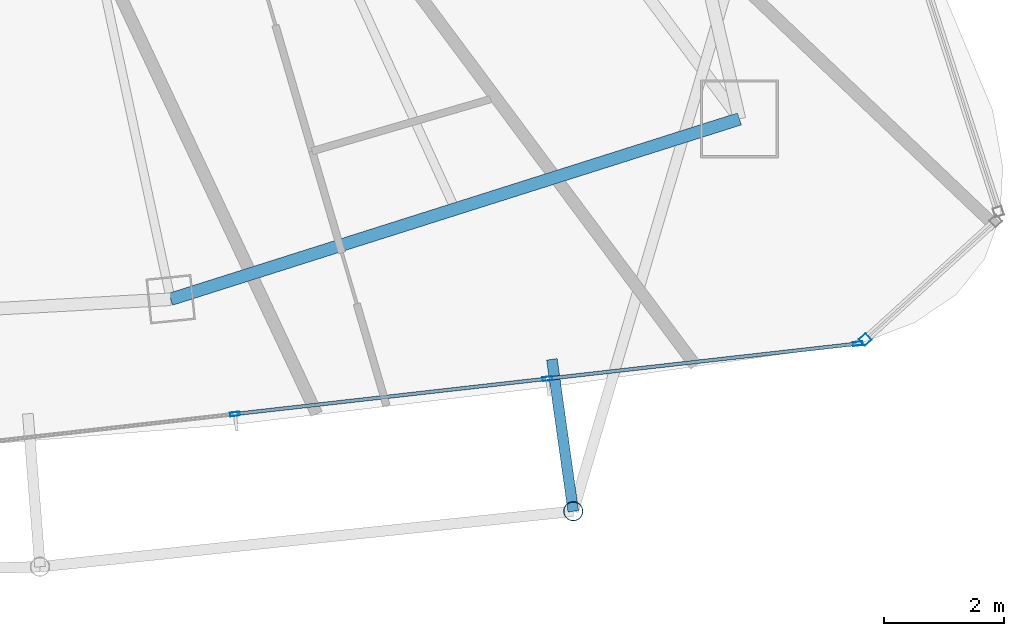
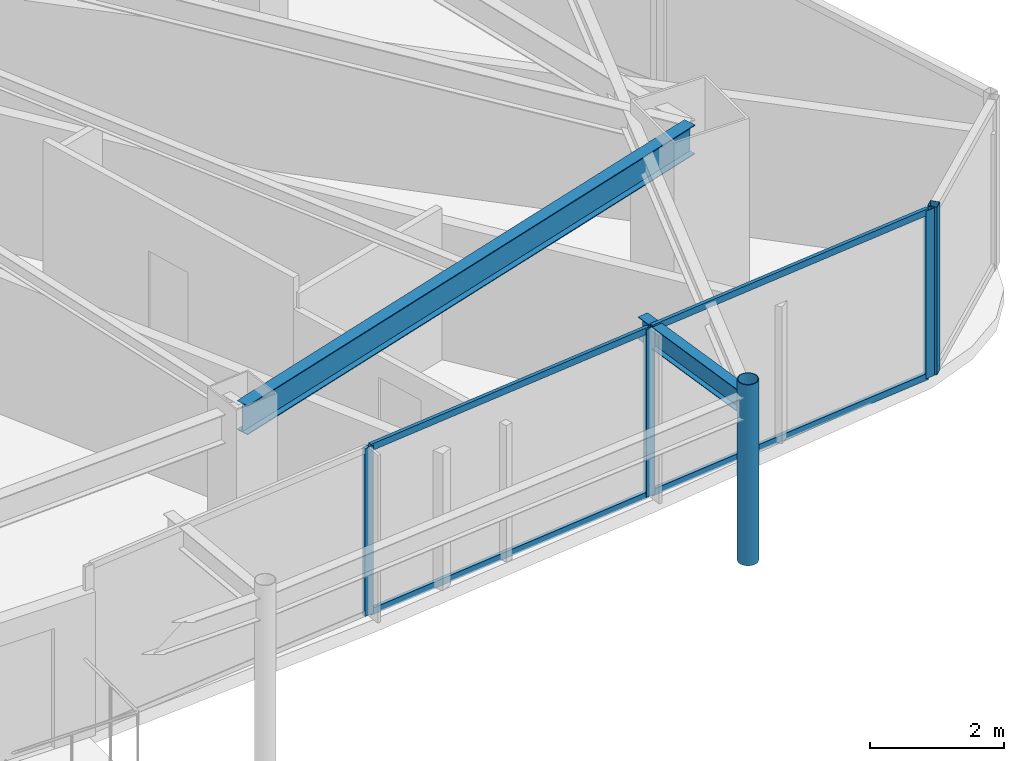
# One storey, part 14 of 32: 9 members, 2 beams, 2 elements without a shape of their own.
"""IFC4 building model written with IfcOpenShell, lengths in metres."""

from ifc_helpers import new_model, si_unit, direction, frame, origin, origin_2d, place, context, subcontext, project, spatial, hollow_rectangle, hollow_circle, i_section, extrude, material, layer, layer_set, material_profile, profile_set, type_object, element, aggregate, save


model = new_model("IFC4")

# Units and contexts
model_context = context("Model", 3, precision=1e-05, world=origin(), true_north=direction((0.0, 1.0)))
body_context = subcontext(model_context, "Body", "Model", "MODEL_VIEW")
ifc_project = project(units=[si_unit("LENGTHUNIT", "METRE"), si_unit("AREAUNIT", "SQUARE_METRE"), si_unit("VOLUMEUNIT", "CUBIC_METRE"), si_unit("PLANEANGLEUNIT", "RADIAN"), si_unit("MASSUNIT", "GRAM", prefix="KILO")], contexts=[model_context])

# Site, building, storey
site_placement = place(None, origin())
site = spatial("IfcSite", under=ifc_project, at=site_placement, CompositionType="ELEMENT")
building_placement = place(site_placement, origin())
building = spatial("IfcBuilding", under=site, at=building_placement, Name="Orvanel Arch Residences", CompositionType="ELEMENT")
storey_placement = place(building_placement, frame((0.0, 0.0, 219.5)))
storey = spatial("IfcBuildingStorey", under=building, at=storey_placement, Name="L62", CompositionType="ELEMENT", Elevation=219.5)

# Curtain wall, member
ifc_material_1 = material(Name="Bronze-anodised aluminium AA6063-T6", Category="aluminium")
ifc_layer_1 = layer(ifc_material_1, 0.18994140625)
ifc_layer_set_1 = layer_set([ifc_layer_1], Name="Bronze-anodised aluminium AA6063-T6")
curtain_wall_type_1 = type_object("IfcCurtainWallType", Name="CW5-CRN-SYS", PredefinedType="NOTDEFINED", material=ifc_layer_set_1)
curtain_wall_1_placement = place(storey_placement, origin())
curtain_wall_1 = element("IfcCurtainWall", 1, at=curtain_wall_1_placement, inside=storey, type_object=curtain_wall_type_1, Name="L62 CW5-CRN-SYS Unitised Curtain Wall", PredefinedType="NOTDEFINED")
ifc_material_profile_1 = material_profile(ifc_material_1, hollow_rectangle(XDim=0.14990234375, YDim=0.14990234375, WallThickness=0.0048828125, at=origin_2d()), Name="ALU150x150x5")
ifc_profile_set_1 = profile_set([ifc_material_profile_1], Name="Bronze-anodised aluminium AA6063-T6")
member_type_1 = type_object("IfcMemberType", Name="MUL-150x150", PredefinedType="MULLION", material=ifc_profile_set_1)
member_1_placement = place(storey_placement, frame((53.892578125, 6.6865234375, 0.0), z_axis=(0.0, 0.0, 1.0), x_axis=(-0.672365707037, 0.740219127016, 0.0)))
member_1 = element("IfcMember", 2, at=member_1_placement, type_object=member_type_1, Name="CW-S5 mullion 1", PredefinedType="MULLION", context=body_context, shape_type="SweptSolid", body=[
    extrude(hollow_rectangle(XDim=0.14990234375, YDim=0.14990234375, WallThickness=0.0048828125, at=origin_2d()), origin(), (0.0, 0.0, 1.0), 3.06005859375),
])
aggregate(curtain_wall_1, [member_1])

# Curtain wall, members
ifc_layer_2 = layer(ifc_material_1, 0.175048828125)
ifc_layer_set_2 = layer_set([ifc_layer_2], Name="Bronze-anodised aluminium AA6063-T6")
curtain_wall_type_2 = type_object("IfcCurtainWallType", Name="CW4-HI-SYS", PredefinedType="NOTDEFINED", material=ifc_layer_set_2)
curtain_wall_2_placement = place(storey_placement, origin())
curtain_wall_2 = element("IfcCurtainWall", 3, at=curtain_wall_2_placement, inside=storey, type_object=curtain_wall_type_2, Name="L62 CW4-HI-SYS Unitised Curtain Wall", PredefinedType="NOTDEFINED")
ifc_material_profile_2 = material_profile(ifc_material_1, hollow_rectangle(XDim=0.06494140625, YDim=0.159912109375, WallThickness=0.00390625, at=origin_2d()), Name="ALU160x65x4")
ifc_profile_set_2 = profile_set([ifc_material_profile_2], Name="Bronze-anodised aluminium AA6063-T6")
member_type_2 = type_object("IfcMemberType", Name="MUL-160x65", PredefinedType="MULLION", material=ifc_profile_set_2)
member_2_placement = place(storey_placement, frame((43.41796875, 5.44775390625, 0.0), z_axis=(0.0, 0.0, 1.0), x_axis=(-0.112279844711, 0.993676625705, 0.0)))
member_2 = element("IfcMember", 4, at=member_2_placement, type_object=member_type_2, Name="CW-S4 mullion 2", PredefinedType="MULLION", context=body_context, shape_type="SweptSolid", body=[
    extrude(hollow_rectangle(XDim=0.06494140625, YDim=0.159912109375, WallThickness=0.00390625, at=origin_2d()), origin(), (0.0, 0.0, 1.0), 3.06005859375),
])
member_3_placement = place(storey_placement, frame((48.610107421875, 6.034423828125, 0.0), z_axis=(0.0, 0.0, 1.0), x_axis=(-0.112279844711, 0.993676625705, 0.0)))
member_3 = element("IfcMember", 5, at=member_3_placement, type_object=member_type_2, Name="CW-S4 mullion 3", PredefinedType="MULLION", context=body_context, shape_type="SweptSolid", body=[
    extrude(hollow_rectangle(XDim=0.06494140625, YDim=0.159912109375, WallThickness=0.00390625, at=origin_2d()), origin(), (0.0, 0.0, 1.0), 3.06005859375),
])
member_4_placement = place(storey_placement, frame((53.769775390625, 6.617431640625, 0.0), z_axis=(0.0, 0.0, 1.0), x_axis=(-0.112279844711, 0.993676625705, 0.0)))
member_4 = element("IfcMember", 6, at=member_4_placement, type_object=member_type_2, Name="CW-S4 mullion 4", PredefinedType="MULLION", context=body_context, shape_type="SweptSolid", body=[
    extrude(hollow_rectangle(XDim=0.06494140625, YDim=0.159912109375, WallThickness=0.00390625, at=origin_2d()), origin(), (0.0, 0.0, 1.0), 3.06005859375),
])

# Beams
ifc_material_2 = material(Name="Structural steel AS/NZS 3679.1 Grade 300 (300 MPa)", Category="steel")
ifc_material_profile_3 = material_profile(ifc_material_2, i_section(OverallWidth=0.177978515625, OverallDepth=0.406005859375, WebThickness=0.0078125, FlangeThickness=0.0126953125, at=origin_2d()), Name="410UB59.7")
ifc_profile_set_3 = profile_set([ifc_material_profile_3], Name="Structural steel AS/NZS 3679.1 Grade 300 (300 MPa)")
beam_type_1 = type_object("IfcBeamType", Name="OB-410UB-EXT", PredefinedType="SPANDREL", material=ifc_profile_set_3)
beam_1_placement = place(storey_placement, frame((48.68505859375, 6.35693359375, 2.85693359375), z_axis=(0.139222555053, -0.990261117163, 0.0), x_axis=(0.990261117163, 0.139222555053, 0.0)))
element("IfcBeam", 7, at=beam_1_placement, inside=storey, type_object=beam_type_1, Name="L62 Outer Frame Radial Tie Beam 08", PredefinedType="SPANDREL", context=body_context, shape_type="SweptSolid", body=[
    extrude(i_section(OverallWidth=0.177978515625, OverallDepth=0.406005859375, WebThickness=0.0078125, FlangeThickness=0.0126953125, at=origin_2d()), origin(), (0.0, 0.0, 1.0), 2.5498046875),
])
ifc_material_profile_4 = material_profile(ifc_material_2, i_section(OverallWidth=0.208984375, OverallDepth=0.532958984375, WebThickness=0.01025390625, FlangeThickness=0.015625, at=origin_2d()), Name="530UB92.4")
ifc_profile_set_4 = profile_set([ifc_material_profile_4], Name="Structural steel AS/NZS 3679.1 Grade 300 (300 MPa)")
beam_type_2 = type_object("IfcBeamType", Name="SP-530UB", PredefinedType="SPANDREL", material=ifc_profile_set_4)
beam_2_placement = place(storey_placement, frame((42.35107421875, 7.35498046875, 2.79296875), z_axis=(0.953237386592, 0.302222574941, 0.0), x_axis=(-0.302222574941, 0.953237386592, 0.0)))
element("IfcBeam", 8, at=beam_2_placement, inside=storey, type_object=beam_type_2, Name="L62 Perimeter Spandrel Beam 05", PredefinedType="SPANDREL", context=body_context, shape_type="SweptSolid", body=[
    extrude(i_section(OverallWidth=0.208984375, OverallDepth=0.532958984375, WebThickness=0.01025390625, FlangeThickness=0.015625, at=origin_2d()), origin(), (0.0, 0.0, 1.0), 9.91357421875),
])

# Member
ifc_material_3 = material(Name="Structural steel AS/NZS 1163 C350L0 (Grade 350)", Category="steel")
ifc_material_profile_5 = material_profile(ifc_material_3, hollow_circle(Radius=0.162109375, WallThickness=0.0126953125, at=origin_2d()), Name="CHS324x12.7")
ifc_profile_set_5 = profile_set([ifc_material_profile_5], Name="Structural steel AS/NZS 1163 C350L0 (Grade 350)")
member_type_3 = type_object("IfcMemberType", Name="ST-324CHS-EXT", PredefinedType="STRUT", material=ifc_profile_set_5)
member_5_placement = place(storey_placement, frame((49.0400390625, 3.83203125, 0.0), z_axis=(0.0, 0.0, 1.0), x_axis=(1.0, 0.0, 0.0)))
element("IfcMember", 9, at=member_5_placement, inside=storey, type_object=member_type_3, Name="L62 Outer Perimeter Frame Post 08", PredefinedType="STRUT", context=body_context, shape_type="SweptSolid", body=[
    extrude(hollow_circle(Radius=0.162109375, WallThickness=0.0126953125, at=origin_2d()), origin(), (0.0, 0.0, 1.0), 3.300048828125),
])

ifc_material_profile_6 = material_profile(ifc_material_1, hollow_rectangle(XDim=0.06005859375, YDim=0.1201171875, WallThickness=0.00341796875, at=origin_2d()), Name="ALU120x60x3.5")
ifc_profile_set_6 = profile_set([ifc_material_profile_6], Name="Bronze-anodised aluminium AA6063-T6")
member_type_4 = type_object("IfcMemberType", Name="TRN-120x60", PredefinedType="USERDEFINED", material=ifc_profile_set_6)
member_6_placement = place(storey_placement, frame((43.4501953125, 5.451416015625, 0.030029296875), z_axis=(0.993677192338, 0.112274829893, 0.0), x_axis=(-0.112274829893, 0.993677192338, 0.0)))
member_6 = element("IfcMember", 10, at=member_6_placement, type_object=member_type_4, Name="CW-S4 transom 2.1", ObjectType="TRANSOM", PredefinedType="USERDEFINED", context=body_context, shape_type="SweptSolid", body=[
    extrude(hollow_rectangle(XDim=0.06005859375, YDim=0.1201171875, WallThickness=0.00341796875, at=origin_2d()), origin(), (0.0, 0.0, 1.0), 5.16015625),
])

member_7_placement = place(storey_placement, frame((43.4501953125, 5.451416015625, 3.030029296875), z_axis=(0.993677192338, 0.112274829893, 0.0), x_axis=(-0.112274829893, 0.993677192338, 0.0)))
member_7 = element("IfcMember", 11, at=member_7_placement, type_object=member_type_4, Name="CW-S4 transom 2.2", ObjectType="TRANSOM", PredefinedType="USERDEFINED", context=body_context, shape_type="SweptSolid", body=[
    extrude(hollow_rectangle(XDim=0.06005859375, YDim=0.1201171875, WallThickness=0.00341796875, at=origin_2d()), origin(), (0.0, 0.0, 1.0), 5.16015625),
])

member_8_placement = place(storey_placement, frame((48.642333984375, 6.0380859375, 0.030029296875), z_axis=(0.993677045887, 0.112276126034, 0.0), x_axis=(-0.112276126034, 0.993677045887, 0.0)))
member_8 = element("IfcMember", 12, at=member_8_placement, type_object=member_type_4, Name="CW-S4 transom 3.1", ObjectType="TRANSOM", PredefinedType="USERDEFINED", context=body_context, shape_type="SweptSolid", body=[
    extrude(hollow_rectangle(XDim=0.06005859375, YDim=0.1201171875, WallThickness=0.00341796875, at=origin_2d()), origin(), (0.0, 0.0, 1.0), 5.12744140625),
])

member_9_placement = place(storey_placement, frame((48.642333984375, 6.0380859375, 3.030029296875), z_axis=(0.993677045887, 0.112276126034, 0.0), x_axis=(-0.112276126034, 0.993677045887, 0.0)))
member_9 = element("IfcMember", 13, at=member_9_placement, type_object=member_type_4, Name="CW-S4 transom 3.2", ObjectType="TRANSOM", PredefinedType="USERDEFINED", context=body_context, shape_type="SweptSolid", body=[
    extrude(hollow_rectangle(XDim=0.06005859375, YDim=0.1201171875, WallThickness=0.00341796875, at=origin_2d()), origin(), (0.0, 0.0, 1.0), 5.12744140625),
])

aggregate(curtain_wall_2, [member_2, member_3, member_4, member_6, member_7, member_8, member_9])

save(model, "model.ifc")
